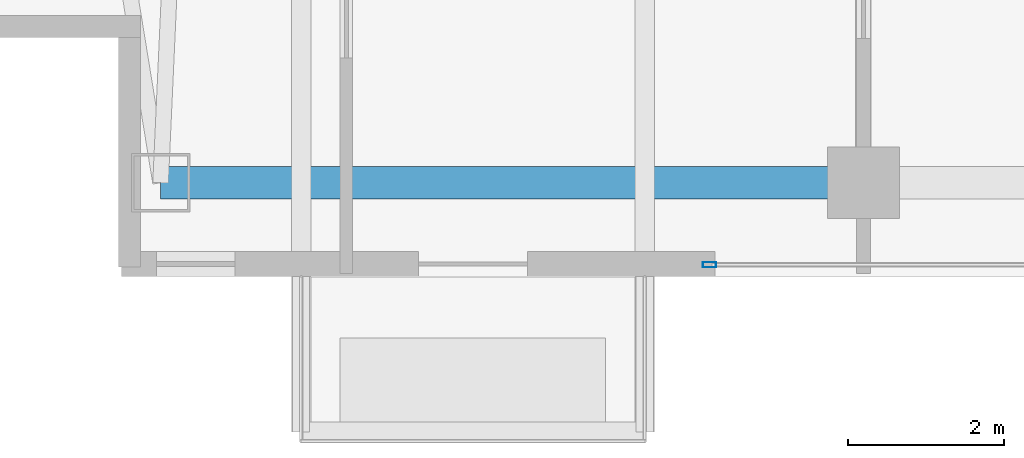
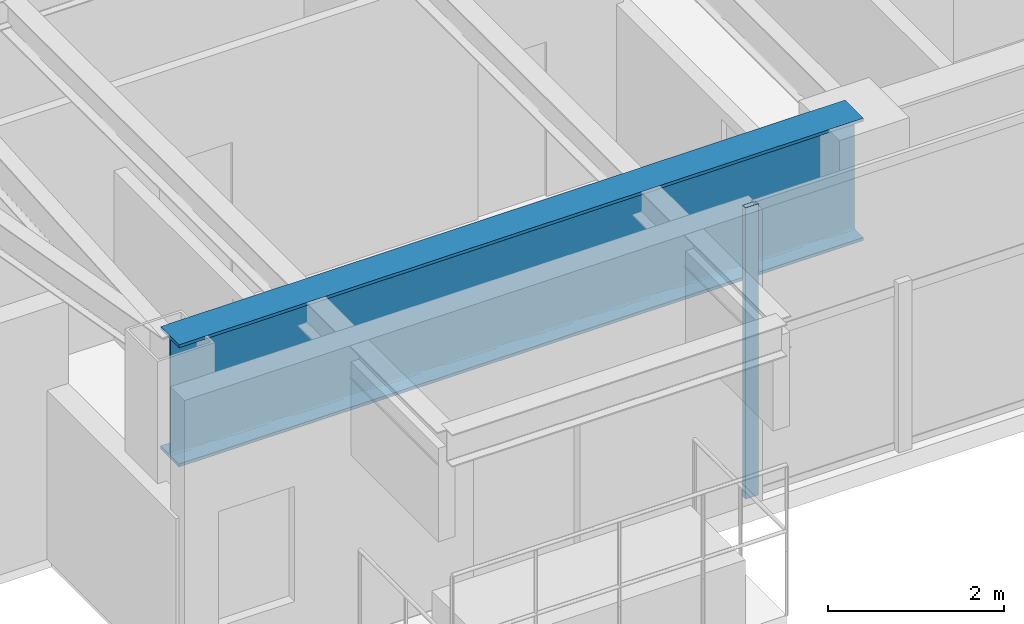
# One storey, part 3 of 29: 1 beam, 1 member, 1 element without a shape of its own.
"""IFC4 building model written with IfcOpenShell, lengths in metres."""

from ifc_helpers import new_model, si_unit, direction, frame, origin, origin_2d, place, context, subcontext, project, spatial, hollow_rectangle, i_section, extrude, material, layer, layer_set, material_profile, profile_set, type_object, element, aggregate, save


model = new_model("IFC4")

# Units and contexts
model_context = context("Model", 3, precision=1e-05, world=origin(), true_north=direction((0.0, 1.0)))
body_context = subcontext(model_context, "Body", "Model", "MODEL_VIEW")
ifc_project = project(units=[si_unit("LENGTHUNIT", "METRE"), si_unit("AREAUNIT", "SQUARE_METRE"), si_unit("VOLUMEUNIT", "CUBIC_METRE"), si_unit("PLANEANGLEUNIT", "RADIAN"), si_unit("MASSUNIT", "GRAM", prefix="KILO")], contexts=[model_context])

# Site, building, storey
site_placement = place(None, origin())
site = spatial("IfcSite", under=ifc_project, at=site_placement, CompositionType="ELEMENT")
building_placement = place(site_placement, origin())
building = spatial("IfcBuilding", under=site, at=building_placement, Name="Calvorn Quay Hotel", CompositionType="ELEMENT")
storey_placement = place(building_placement, frame((0.0, 0.0, 259.0)))
storey = spatial("IfcBuildingStorey", under=building, at=storey_placement, Name="L64", CompositionType="ELEMENT", Elevation=259.0)

# Beam
ifc_material_1 = material(Name="Steel Q420GJC", Category="steel")
ifc_material_profile_1 = material_profile(ifc_material_1, i_section(OverallWidth=0.419921875, OverallDepth=1.699951171875, WebThickness=0.02392578125, FlangeThickness=0.0419921875, FilletRadius=0.02392578125, at=origin_2d()), Name="HN1700x420x24x42")
ifc_profile_set_1 = profile_set([ifc_material_profile_1], Name="Steel Q420GJC")
beam_type = type_object("IfcBeamType", Name="BM-XFER-SAWTOOTH", PredefinedType="BEAM", material=ifc_profile_set_1)
beam_placement = place(storey_placement, frame((3.60009765625, 3.60009765625, 3.199951171875), z_axis=(1.0, 0.0, 0.0), x_axis=(0.0, 1.0, 0.0)))
element("IfcBeam", 1, at=beam_placement, inside=storey, type_object=beam_type, Name="Beam BSP-L64-S1", PredefinedType="BEAM", context=body_context, shape_type="SweptSolid", body=[
    extrude(i_section(OverallWidth=0.419921875, OverallDepth=1.699951171875, WebThickness=0.02392578125, FlangeThickness=0.0419921875, FilletRadius=0.02392578125, at=origin_2d()), origin(), (0.0, 0.0, 1.0), 9.0),
])

# Curtain wall, member
ifc_material_2 = material(Name="Champagne Bronze Anodised Aluminium and Low-E Glass", Category="aluminium")
ifc_layer = layer(ifc_material_2, 0.219970703125)
ifc_layer_set = layer_set([ifc_layer], Name="CW-SYS-Z4")
curtain_wall_type = type_object("IfcCurtainWallType", Name="CW-SYS-Z4", PredefinedType="NOTDEFINED", material=ifc_layer_set)
curtain_wall_placement = place(storey_placement, origin())
curtain_wall = element("IfcCurtainWall", 2, at=curtain_wall_placement, inside=storey, type_object=curtain_wall_type, Name="Tower South Waterfront Curtain Wall (L64)", PredefinedType="NOTDEFINED")
ifc_material_3 = material(Name="Champagne Bronze Anodised Aluminium 6063-T6", Category="aluminium")
ifc_material_profile_2 = material_profile(ifc_material_3, hollow_rectangle(XDim=0.06494140625, YDim=0.169921875, WallThickness=0.00341796875, at=origin_2d()), Name="ALU-M170x65x3.5")
ifc_profile_set_2 = profile_set([ifc_material_profile_2], Name="Champagne Bronze Anodised Aluminium 6063-T6")
member_type = type_object("IfcMemberType", Name="CW-SYS-Z4-MUL", PredefinedType="MULLION", material=ifc_profile_set_2)
member_placement = place(storey_placement, frame((10.6298828125, 2.550048828125, 0.0), z_axis=(0.0, 0.0, 1.0), x_axis=(0.0, 1.0, 0.0)))
member = element("IfcMember", 3, at=member_placement, type_object=member_type, Name="CW-L64-S mullion 1", PredefinedType="MULLION", context=body_context, shape_type="SweptSolid", body=[
    extrude(hollow_rectangle(XDim=0.06494140625, YDim=0.169921875, WallThickness=0.00341796875, at=origin_2d()), origin(), (0.0, 0.0, 1.0), 4.050048828125),
])
aggregate(curtain_wall, [member])

save(model, "model.ifc")
